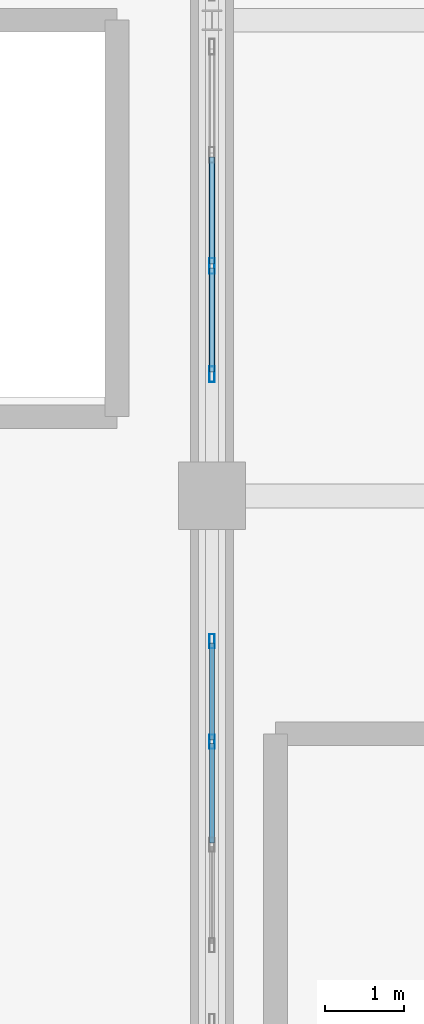
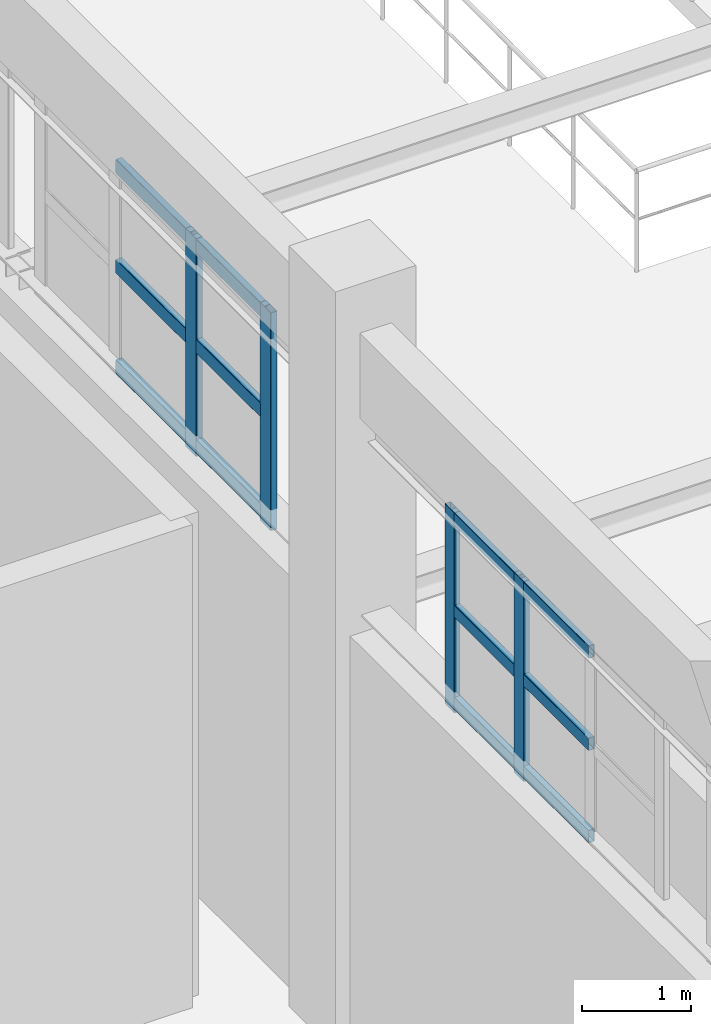
# One storey, part 51 of 97: 16 members, 2 elements without a shape of their own.
"""IFC4 building model written with IfcOpenShell, lengths in metres."""

from ifc_helpers import new_model, si_unit, derived_unit, direction, frame, origin, origin_2d, place, context, subcontext, project, spatial, hollow_rectangle, extrude, material, layer, layer_set, material_profile, profile_set, type_object, element, aggregate, save


model = new_model("IFC4")

# Units and contexts
model_context = context("Model", 3, precision=1e-05, world=origin(), true_north=direction((0.0, 1.0)))
body_context = subcontext(model_context, "Body", "Model", "MODEL_VIEW")
ifc_project = project(units=[si_unit("LENGTHUNIT", "METRE"), si_unit("AREAUNIT", "SQUARE_METRE"), si_unit("VOLUMEUNIT", "CUBIC_METRE"), si_unit("PLANEANGLEUNIT", "RADIAN"), si_unit("MASSUNIT", "GRAM", prefix="KILO"), derived_unit("THERMALTRANSMITTANCEUNIT", [(si_unit("POWERUNIT", "WATT"), 1), (si_unit("LENGTHUNIT", "METRE"), -2), (si_unit("THERMODYNAMICTEMPERATUREUNIT", "KELVIN"), -1)])], contexts=[model_context])

# Site, building, storey
site_placement = place(None, origin())
site = spatial("IfcSite", under=ifc_project, at=site_placement, CompositionType="ELEMENT")
building_placement = place(site_placement, origin())
building = spatial("IfcBuilding", under=site, at=building_placement, Name="Almenara Railside Exhibition Hall", CompositionType="ELEMENT")
storey_placement = place(building_placement, frame((0.0, 0.0, 10.800048828125)))
storey = spatial("IfcBuildingStorey", under=building, at=storey_placement, Name="L02", CompositionType="ELEMENT", Elevation=10.800048828125)

# Curtain wall, members
ifc_material_1 = material(Name="Bronze-anodised aluminium and low-E double glazing", Category="aluminium")
ifc_layer_1 = layer(ifc_material_1, 0.179931640625, Name="Bronze-anodised aluminium and low-E double glazing")
ifc_layer_set_1 = layer_set([ifc_layer_1], Name="Bronze-anodised aluminium and low-E double glazing")
curtain_wall_type_1 = type_object("IfcCurtainWallType", Name="West Hall Clerestory Curtain Wall 3900x2200", PredefinedType="NOTDEFINED", material=ifc_layer_set_1)
curtain_wall_1_placement = place(storey_placement, origin())
curtain_wall_1 = element("IfcCurtainWall", 1, at=curtain_wall_1_placement, inside=storey, type_object=curtain_wall_type_1, Name="Curtain wall CW-CL2-012", PredefinedType="NOTDEFINED")
ifc_material_2 = material(Name="Bronze-anodised aluminium", Category="aluminium")
ifc_material_profile_1 = material_profile(ifc_material_2, hollow_rectangle(XDim=0.06494140625, YDim=0.179931640625, WallThickness=0.00390625, InnerFilletRadius=0.00390625, OuterFilletRadius=0.008056640625, at=origin_2d()), Name="ALU-MUL 65x180x4")
ifc_profile_set_1 = profile_set([ifc_material_profile_1], Name="Bronze-anodised aluminium")
member_type_1 = type_object("IfcMemberType", Name="Curtain Wall Mullion 65x180x4", PredefinedType="MULLION", material=ifc_profile_set_1)
member_1_placement = place(storey_placement, frame((66.0, 80.89990234375, 4.56494140625), z_axis=(0.0, 0.0, 1.0), x_axis=(-1.0, 0.0, 0.0)))
member_1 = element("IfcMember", 2, at=member_1_placement, type_object=member_type_1, Name="CW-CL2-012 mullion 3", PredefinedType="MULLION", context=body_context, shape_type="SweptSolid", body=[
    extrude(hollow_rectangle(XDim=0.06494140625, YDim=0.179931640625, WallThickness=0.00390625, InnerFilletRadius=0.00390625, OuterFilletRadius=0.008056640625, at=origin_2d()), origin(), (0.0, 0.0, 1.0), 2.235107421875),
])
member_2_placement = place(storey_placement, frame((66.0, 82.16748046875, 4.56494140625), z_axis=(0.0, 0.0, 1.0), x_axis=(-1.0, 0.0, 0.0)))
member_2 = element("IfcMember", 3, at=member_2_placement, type_object=member_type_1, Name="CW-CL2-012 mullion 4", PredefinedType="MULLION", context=body_context, shape_type="SweptSolid", body=[
    extrude(hollow_rectangle(XDim=0.06494140625, YDim=0.179931640625, WallThickness=0.00390625, InnerFilletRadius=0.00390625, OuterFilletRadius=0.008056640625, at=origin_2d()), origin(), (0.0, 0.0, 1.0), 2.235107421875),
])

ifc_layer_2 = layer(ifc_material_1, 0.179931640625, Name="Bronze-anodised aluminium and low-E double glazing")
ifc_layer_set_2 = layer_set([ifc_layer_2], Name="Bronze-anodised aluminium and low-E double glazing")
curtain_wall_type_2 = type_object("IfcCurtainWallType", Name="West Hall Clerestory Curtain Wall 4200x2400", PredefinedType="NOTDEFINED", material=ifc_layer_set_2)
curtain_wall_2_placement = place(storey_placement, origin())
curtain_wall_2 = element("IfcCurtainWall", 4, at=curtain_wall_2_placement, inside=storey, type_object=curtain_wall_type_2, Name="Curtain wall CW-CL1-015", PredefinedType="NOTDEFINED")
ifc_material_profile_2 = material_profile(ifc_material_2, hollow_rectangle(XDim=0.070068359375, YDim=0.199951171875, WallThickness=0.00439453125, InnerFilletRadius=0.00439453125, OuterFilletRadius=0.009033203125, at=origin_2d()), Name="ALU-MUL 70x200x4.5")
ifc_profile_set_2 = profile_set([ifc_material_profile_2], Name="Bronze-anodised aluminium")
member_type_2 = type_object("IfcMemberType", Name="Curtain Wall Mullion 70x200x4.5", PredefinedType="MULLION", material=ifc_profile_set_2)
member_3_placement = place(storey_placement, frame((66.0, 85.534912109375, 4.56494140625), z_axis=(0.0, 0.0, 1.0), x_axis=(-1.0, 0.0, 0.0)))
member_3 = element("IfcMember", 5, at=member_3_placement, type_object=member_type_2, Name="CW-CL1-015 mullion 1", PredefinedType="MULLION", context=body_context, shape_type="SweptSolid", body=[
    extrude(hollow_rectangle(XDim=0.070068359375, YDim=0.199951171875, WallThickness=0.00439453125, InnerFilletRadius=0.00439453125, OuterFilletRadius=0.009033203125, at=origin_2d()), origin(), (0.0, 0.0, 1.0), 2.43505859375),
])
member_4_placement = place(storey_placement, frame((66.0, 86.89990234375, 4.56494140625), z_axis=(0.0, 0.0, 1.0), x_axis=(-1.0, 0.0, 0.0)))
member_4 = element("IfcMember", 6, at=member_4_placement, type_object=member_type_2, Name="CW-CL1-015 mullion 2", PredefinedType="MULLION", context=body_context, shape_type="SweptSolid", body=[
    extrude(hollow_rectangle(XDim=0.070068359375, YDim=0.199951171875, WallThickness=0.00439453125, InnerFilletRadius=0.00439453125, OuterFilletRadius=0.009033203125, at=origin_2d()), origin(), (0.0, 0.0, 1.0), 2.43505859375),
])

# Member
ifc_material_profile_3 = material_profile(ifc_material_2, hollow_rectangle(XDim=0.06494140625, YDim=0.139892578125, WallThickness=0.00341796875, InnerFilletRadius=0.00341796875, OuterFilletRadius=0.007080078125, at=origin_2d()), Name="ALU-TRN 65x140x3.5")
ifc_profile_set_3 = profile_set([ifc_material_profile_3], Name="Bronze-anodised aluminium")
member_type_3 = type_object("IfcMemberType", Name="Curtain Wall Transom 65x140x3.5", PredefinedType="USERDEFINED", material=ifc_profile_set_3)
member_5_placement = place(storey_placement, frame((66.0, 79.62451171875, 4.669921875), z_axis=(0.0, 1.0, 0.0), x_axis=(-1.0, 0.0, 0.0)))
member_5 = element("IfcMember", 7, at=member_5_placement, type_object=member_type_3, Name="CW-CL2-012 transom 2.1", ObjectType="TRANSOM", PredefinedType="USERDEFINED", context=body_context, shape_type="SweptSolid", body=[
    extrude(hollow_rectangle(XDim=0.06494140625, YDim=0.139892578125, WallThickness=0.00341796875, InnerFilletRadius=0.00341796875, OuterFilletRadius=0.007080078125, at=origin_2d()), origin(), (0.0, 0.0, 1.0), 1.2509765625),
])

member_6_placement = place(storey_placement, frame((66.0, 79.62451171875, 5.699951171875), z_axis=(0.0, 1.0, 0.0), x_axis=(-1.0, 0.0, 0.0)))
member_6 = element("IfcMember", 8, at=member_6_placement, type_object=member_type_3, Name="CW-CL2-012 transom 2.2", ObjectType="TRANSOM", PredefinedType="USERDEFINED", context=body_context, shape_type="SweptSolid", body=[
    extrude(hollow_rectangle(XDim=0.06494140625, YDim=0.139892578125, WallThickness=0.00341796875, InnerFilletRadius=0.00341796875, OuterFilletRadius=0.007080078125, at=origin_2d()), origin(), (0.0, 0.0, 1.0), 1.2509765625),
])

member_7_placement = place(storey_placement, frame((66.0, 79.62451171875, 6.72998046875), z_axis=(0.0, 1.0, 0.0), x_axis=(-1.0, 0.0, 0.0)))
member_7 = element("IfcMember", 9, at=member_7_placement, type_object=member_type_3, Name="CW-CL2-012 transom 2.3", ObjectType="TRANSOM", PredefinedType="USERDEFINED", context=body_context, shape_type="SweptSolid", body=[
    extrude(hollow_rectangle(XDim=0.06494140625, YDim=0.139892578125, WallThickness=0.00341796875, InnerFilletRadius=0.00341796875, OuterFilletRadius=0.007080078125, at=origin_2d()), origin(), (0.0, 0.0, 1.0), 1.2509765625),
])

member_8_placement = place(storey_placement, frame((66.0, 80.924560546875, 4.669921875), z_axis=(0.0, 1.0, 0.0), x_axis=(-1.0, 0.0, 0.0)))
member_8 = element("IfcMember", 10, at=member_8_placement, type_object=member_type_3, Name="CW-CL2-012 transom 3.1", ObjectType="TRANSOM", PredefinedType="USERDEFINED", context=body_context, shape_type="SweptSolid", body=[
    extrude(hollow_rectangle(XDim=0.06494140625, YDim=0.139892578125, WallThickness=0.00341796875, InnerFilletRadius=0.00341796875, OuterFilletRadius=0.007080078125, at=origin_2d()), origin(), (0.0, 0.0, 1.0), 1.218505859375),
])

member_9_placement = place(storey_placement, frame((66.0, 80.924560546875, 5.699951171875), z_axis=(0.0, 1.0, 0.0), x_axis=(-1.0, 0.0, 0.0)))
member_9 = element("IfcMember", 11, at=member_9_placement, type_object=member_type_3, Name="CW-CL2-012 transom 3.2", ObjectType="TRANSOM", PredefinedType="USERDEFINED", context=body_context, shape_type="SweptSolid", body=[
    extrude(hollow_rectangle(XDim=0.06494140625, YDim=0.139892578125, WallThickness=0.00341796875, InnerFilletRadius=0.00341796875, OuterFilletRadius=0.007080078125, at=origin_2d()), origin(), (0.0, 0.0, 1.0), 1.218505859375),
])

member_10_placement = place(storey_placement, frame((66.0, 80.924560546875, 6.72998046875), z_axis=(0.0, 1.0, 0.0), x_axis=(-1.0, 0.0, 0.0)))
member_10 = element("IfcMember", 12, at=member_10_placement, type_object=member_type_3, Name="CW-CL2-012 transom 3.3", ObjectType="TRANSOM", PredefinedType="USERDEFINED", context=body_context, shape_type="SweptSolid", body=[
    extrude(hollow_rectangle(XDim=0.06494140625, YDim=0.139892578125, WallThickness=0.00341796875, InnerFilletRadius=0.00341796875, OuterFilletRadius=0.007080078125, at=origin_2d()), origin(), (0.0, 0.0, 1.0), 1.218505859375),
])

aggregate(curtain_wall_1, [member_1, member_2, member_5, member_6, member_7, member_8, member_9, member_10])

ifc_material_profile_4 = material_profile(ifc_material_2, hollow_rectangle(XDim=0.070068359375, YDim=0.159912109375, WallThickness=0.00390625, InnerFilletRadius=0.00390625, OuterFilletRadius=0.008056640625, at=origin_2d()), Name="ALU-TRN 70x160x4")
ifc_profile_set_4 = profile_set([ifc_material_profile_4], Name="Bronze-anodised aluminium")
member_type_4 = type_object("IfcMemberType", Name="Curtain Wall Transom 70x160x4", PredefinedType="USERDEFINED", material=ifc_profile_set_4)
member_11_placement = place(storey_placement, frame((66.0, 85.56201171875, 4.679931640625), z_axis=(0.0, 1.0, 0.0), x_axis=(-1.0, 0.0, 0.0)))
member_11 = element("IfcMember", 13, at=member_11_placement, type_object=member_type_4, Name="CW-CL1-015 transom 1.1", ObjectType="TRANSOM", PredefinedType="USERDEFINED", context=body_context, shape_type="SweptSolid", body=[
    extrude(hollow_rectangle(XDim=0.070068359375, YDim=0.159912109375, WallThickness=0.00390625, InnerFilletRadius=0.00390625, OuterFilletRadius=0.008056640625, at=origin_2d()), origin(), (0.0, 0.0, 1.0), 1.31103515625),
])

member_12_placement = place(storey_placement, frame((66.0, 85.56201171875, 5.800048828125), z_axis=(0.0, 1.0, 0.0), x_axis=(-1.0, 0.0, 0.0)))
member_12 = element("IfcMember", 14, at=member_12_placement, type_object=member_type_4, Name="CW-CL1-015 transom 1.2", ObjectType="TRANSOM", PredefinedType="USERDEFINED", context=body_context, shape_type="SweptSolid", body=[
    extrude(hollow_rectangle(XDim=0.070068359375, YDim=0.159912109375, WallThickness=0.00390625, InnerFilletRadius=0.00390625, OuterFilletRadius=0.008056640625, at=origin_2d()), origin(), (0.0, 0.0, 1.0), 1.31103515625),
])

member_13_placement = place(storey_placement, frame((66.0, 85.56201171875, 6.919921875), z_axis=(0.0, 1.0, 0.0), x_axis=(-1.0, 0.0, 0.0)))
member_13 = element("IfcMember", 15, at=member_13_placement, type_object=member_type_4, Name="CW-CL1-015 transom 1.3", ObjectType="TRANSOM", PredefinedType="USERDEFINED", context=body_context, shape_type="SweptSolid", body=[
    extrude(hollow_rectangle(XDim=0.070068359375, YDim=0.159912109375, WallThickness=0.00390625, InnerFilletRadius=0.00390625, OuterFilletRadius=0.008056640625, at=origin_2d()), origin(), (0.0, 0.0, 1.0), 1.31103515625),
])

member_14_placement = place(storey_placement, frame((66.0, 86.927001953125, 4.679931640625), z_axis=(0.0, 1.0, 0.0), x_axis=(-1.0, 0.0, 0.0)))
member_14 = element("IfcMember", 16, at=member_14_placement, type_object=member_type_4, Name="CW-CL1-015 transom 2.1", ObjectType="TRANSOM", PredefinedType="USERDEFINED", context=body_context, shape_type="SweptSolid", body=[
    extrude(hollow_rectangle(XDim=0.070068359375, YDim=0.159912109375, WallThickness=0.00390625, InnerFilletRadius=0.00390625, OuterFilletRadius=0.008056640625, at=origin_2d()), origin(), (0.0, 0.0, 1.0), 1.345947265625),
])

member_15_placement = place(storey_placement, frame((66.0, 86.927001953125, 5.800048828125), z_axis=(0.0, 1.0, 0.0), x_axis=(-1.0, 0.0, 0.0)))
member_15 = element("IfcMember", 17, at=member_15_placement, type_object=member_type_4, Name="CW-CL1-015 transom 2.2", ObjectType="TRANSOM", PredefinedType="USERDEFINED", context=body_context, shape_type="SweptSolid", body=[
    extrude(hollow_rectangle(XDim=0.070068359375, YDim=0.159912109375, WallThickness=0.00390625, InnerFilletRadius=0.00390625, OuterFilletRadius=0.008056640625, at=origin_2d()), origin(), (0.0, 0.0, 1.0), 1.345947265625),
])

member_16_placement = place(storey_placement, frame((66.0, 86.927001953125, 6.919921875), z_axis=(0.0, 1.0, 0.0), x_axis=(-1.0, 0.0, 0.0)))
member_16 = element("IfcMember", 18, at=member_16_placement, type_object=member_type_4, Name="CW-CL1-015 transom 2.3", ObjectType="TRANSOM", PredefinedType="USERDEFINED", context=body_context, shape_type="SweptSolid", body=[
    extrude(hollow_rectangle(XDim=0.070068359375, YDim=0.159912109375, WallThickness=0.00390625, InnerFilletRadius=0.00390625, OuterFilletRadius=0.008056640625, at=origin_2d()), origin(), (0.0, 0.0, 1.0), 1.345947265625),
])

aggregate(curtain_wall_2, [member_3, member_4, member_11, member_12, member_13, member_14, member_15, member_16])

save(model, "model.ifc")
